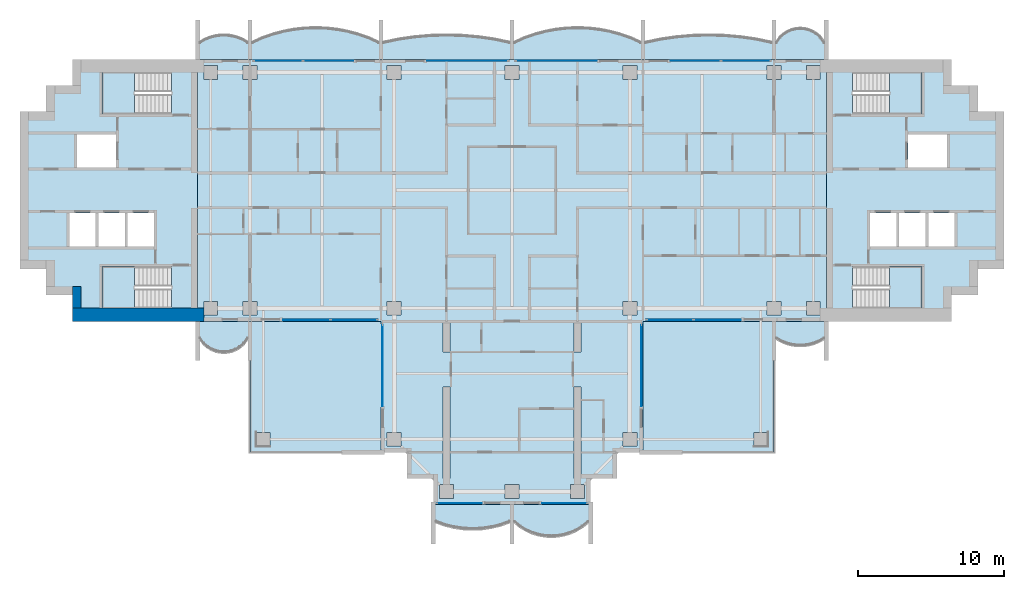
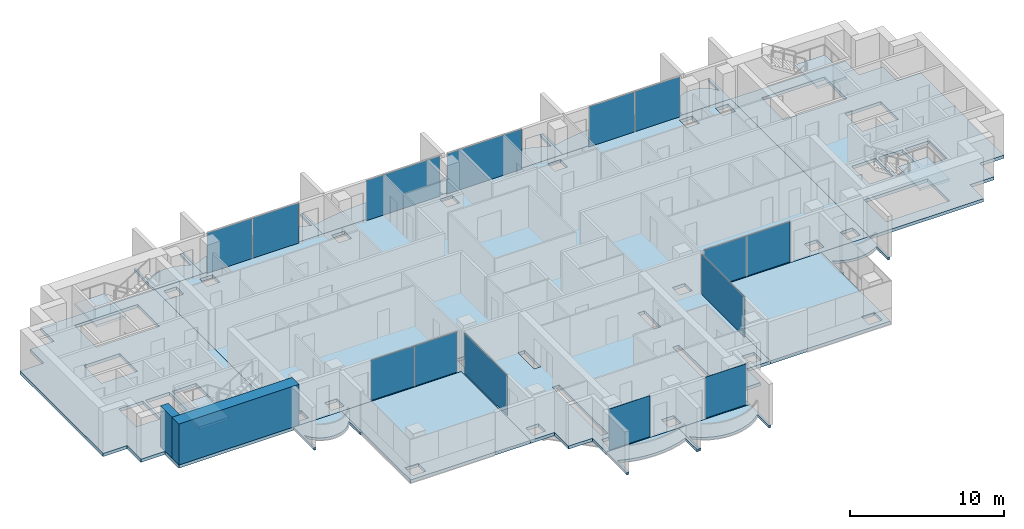
# One storey, part 7 of 17: 19 slabs, 14 plates, 2 walls, 14 elements without a shape of their own.
"""IFC4 building model written with IfcOpenShell, lengths in metres."""

from ifc_helpers import new_model, si_unit, direction, frame, frame_2d, origin, origin_2d, place, context, subcontext, project, spatial, polyline, rectangle, outline, extrude, material, layer, layer_set, type_object, element, aggregate, save


model = new_model("IFC4")

# Units and contexts
model_context = context("Model", 3, precision=1e-05, world=origin(), true_north=direction((0.0, 1.0)))
body_context = subcontext(model_context, "Body", "Model", "MODEL_VIEW")
ifc_project = project(units=[si_unit("LENGTHUNIT", "METRE"), si_unit("AREAUNIT", "SQUARE_METRE"), si_unit("VOLUMEUNIT", "CUBIC_METRE"), si_unit("PLANEANGLEUNIT", "RADIAN"), si_unit("MASSUNIT", "GRAM", prefix="KILO")], contexts=[model_context])

# Site, building, storey
site_placement = place(None, origin())
site = spatial("IfcSite", under=ifc_project, at=site_placement, CompositionType="ELEMENT")
building_placement = place(site_placement, origin())
building = spatial("IfcBuilding", under=site, at=building_placement, Name="Perihelion Cross Residences", CompositionType="ELEMENT")
storey_placement = place(building_placement, frame((0.0, 0.0, 184.10009765625)))
storey = spatial("IfcBuildingStorey", under=building, at=storey_placement, Name="L45", CompositionType="ELEMENT", Elevation=184.10009765625)

# Slabs
ifc_material_1 = material(Name="Concrete C40/50", Category="concrete")
ifc_layer_1 = layer(ifc_material_1, 0.199951171875)
ifc_layer_set_1 = layer_set([ifc_layer_1], Name="Balcony slab 200")
slab_type_1 = type_object("IfcSlabType", Name="Balcony slab 200", PredefinedType="FLOOR", material=ifc_layer_set_1)
slab_1_placement = place(storey_placement, frame((0.0, 0.0, -0.2001953125)))
element("IfcSlab", 1, at=slab_1_placement, inside=storey, type_object=slab_type_1, Name="Slab BK1 L45 east side north bay 1 balcony", PredefinedType="FLOOR", context=body_context, shape_type="SweptSolid", body=[
    extrude(outline(polyline([(21.60009765625, 9.0), (18.0, 9.0), (18.0, 11.699951171875), (18.14990234375, 11.699951171875), (18.14990234375, 10.199951171875), (18.425048828125, 10.568603515625), (18.699951171875, 10.806396484375), (18.97509765625, 10.96875), (19.25, 11.07568359375), (19.52490234375, 11.136962890625), (19.800048828125, 11.156982421875), (20.074951171875, 11.136962890625), (20.35009765625, 11.07568359375), (20.625, 10.96875), (20.89990234375, 10.806396484375), (21.175048828125, 10.568603515625), (21.449951171875, 10.199951171875), (21.449951171875, 11.699951171875), (21.60009765625, 11.699951171875), (21.60009765625, 9.0)])), origin(), (0.0, 0.0, 1.0), 0.2001953125),
])
slab_2_placement = place(storey_placement, frame((0.0, 0.0, -0.2001953125)))
element("IfcSlab", 2, at=slab_2_placement, inside=storey, type_object=slab_type_1, Name="Slab BK1 L45 east side north bay 2 balcony", PredefinedType="FLOOR", context=body_context, shape_type="SweptSolid", body=[
    extrude(outline(polyline([(18.0, 9.0), (9.0, 9.0), (9.0, 11.699951171875), (9.14990234375, 11.699951171875), (9.14990234375, 10.199951171875), (10.237548828125, 10.42041015625), (11.324951171875, 10.576171875), (12.41259765625, 10.669189453125), (13.5, 10.699951171875), (14.58740234375, 10.669189453125), (15.675048828125, 10.576171875), (16.762451171875, 10.42041015625), (17.85009765625, 10.199951171875), (17.85009765625, 11.699951171875), (18.0, 11.699951171875), (18.0, 9.0)])), origin(), (0.0, 0.0, 1.0), 0.2001953125),
])
slab_3_placement = place(storey_placement, frame((0.0, 0.0, -0.2001953125)))
element("IfcSlab", 3, at=slab_3_placement, inside=storey, type_object=slab_type_1, Name="Slab BK1 L45 north side east bay 1 balcony", PredefinedType="FLOOR", context=body_context, shape_type="SweptSolid", body=[
    extrude(outline(polyline([(9.0, 9.0), (0.0, 9.0), (0.0, 11.699951171875), (0.14990234375, 11.699951171875), (0.14990234375, 10.199951171875), (0.875, 10.51708984375), (1.60009765625, 10.7685546875), (2.324951171875, 10.959716796875), (3.050048828125, 11.093994140625), (3.77490234375, 11.173583984375), (4.5, 11.199951171875), (5.22509765625, 11.173583984375), (5.949951171875, 11.093994140625), (6.675048828125, 10.959716796875), (7.39990234375, 10.7685546875), (8.125, 10.51708984375), (8.85009765625, 10.199951171875), (8.85009765625, 11.699951171875), (9.0, 11.699951171875), (9.0, 9.0)])), origin(), (0.0, 0.0, 1.0), 0.2001953125),
])
slab_4_placement = place(storey_placement, frame((0.0, 0.0, -0.2001953125)))
element("IfcSlab", 4, at=slab_4_placement, inside=storey, type_object=slab_type_1, Name="Slab BK1 L45 north side east bay 2 balcony", PredefinedType="FLOOR", context=body_context, shape_type="SweptSolid", body=[
    extrude(outline(polyline([(0.0, 9.0), (-9.0, 9.0), (-9.0, 11.699951171875), (-8.85009765625, 11.699951171875), (-8.85009765625, 10.199951171875), (-7.762451171875, 10.42041015625), (-6.675048828125, 10.576171875), (-5.58740234375, 10.669189453125), (-4.5, 10.699951171875), (-3.41259765625, 10.669189453125), (-2.324951171875, 10.576171875), (-1.237548828125, 10.42041015625), (-0.14990234375, 10.199951171875), (-0.14990234375, 11.699951171875), (0.0, 11.699951171875), (0.0, 9.0)])), origin(), (0.0, 0.0, 1.0), 0.2001953125),
])
slab_5_placement = place(storey_placement, frame((0.0, 0.0, -0.2001953125)))
element("IfcSlab", 5, at=slab_5_placement, inside=storey, type_object=slab_type_1, Name="Slab BK1 L45 west side north bay 1 balcony", PredefinedType="FLOOR", context=body_context, shape_type="SweptSolid", body=[
    extrude(outline(polyline([(-9.0, 9.0), (-18.0, 9.0), (-18.0, 11.699951171875), (-17.85009765625, 11.699951171875), (-17.85009765625, 10.199951171875), (-17.125, 10.51708984375), (-16.39990234375, 10.7685546875), (-15.675048828125, 10.959716796875), (-14.949951171875, 11.093994140625), (-14.22509765625, 11.173583984375), (-13.5, 11.199951171875), (-12.77490234375, 11.173583984375), (-12.050048828125, 11.093994140625), (-11.324951171875, 10.959716796875), (-10.60009765625, 10.7685546875), (-9.875, 10.51708984375), (-9.14990234375, 10.199951171875), (-9.14990234375, 11.699951171875), (-9.0, 11.699951171875), (-9.0, 9.0)])), origin(), (0.0, 0.0, 1.0), 0.2001953125),
])
slab_6_placement = place(storey_placement, frame((0.0, 0.0, -0.2001953125)))
element("IfcSlab", 6, at=slab_6_placement, inside=storey, type_object=slab_type_1, Name="Slab BK1 L45 west side north bay 2 balcony", PredefinedType="FLOOR", context=body_context, shape_type="SweptSolid", body=[
    extrude(outline(polyline([(-18.0, 9.0), (-21.60009765625, 9.0), (-21.60009765625, 11.699951171875), (-21.449951171875, 11.699951171875), (-21.449951171875, 10.199951171875), (-21.083251953125, 10.40869140625), (-20.716552734375, 10.55517578125), (-20.35009765625, 10.648681640625), (-19.9833984375, 10.6943359375), (-19.61669921875, 10.6943359375), (-19.25, 10.648681640625), (-18.88330078125, 10.55517578125), (-18.5166015625, 10.40869140625), (-18.14990234375, 10.199951171875), (-18.14990234375, 11.699951171875), (-18.0, 11.699951171875), (-18.0, 9.0)])), origin(), (0.0, 0.0, 1.0), 0.2001953125),
])
slab_7_placement = place(storey_placement, frame((0.0, 0.0, -0.2001953125)))
element("IfcSlab", 7, at=slab_7_placement, inside=storey, type_object=slab_type_1, Name="Slab BK1 L45 west side south bay 1 balcony", PredefinedType="FLOOR", context=body_context, shape_type="SweptSolid", body=[
    extrude(outline(polyline([(-21.60009765625, -9.0), (-18.0, -9.0), (-18.0, -11.699951171875), (-18.14990234375, -11.699951171875), (-18.14990234375, -10.199951171875), (-18.425048828125, -10.568603515625), (-18.699951171875, -10.806396484375), (-18.97509765625, -10.96875), (-19.25, -11.07568359375), (-19.52490234375, -11.136962890625), (-19.800048828125, -11.156982421875), (-20.074951171875, -11.136962890625), (-20.35009765625, -11.07568359375), (-20.625, -10.96875), (-20.89990234375, -10.806396484375), (-21.175048828125, -10.568603515625), (-21.449951171875, -10.199951171875), (-21.449951171875, -11.699951171875), (-21.60009765625, -11.699951171875), (-21.60009765625, -9.0)])), origin(), (0.0, 0.0, 1.0), 0.2001953125),
])
slab_8_placement = place(storey_placement, frame((0.0, 0.0, -0.2001953125)))
element("IfcSlab", 8, at=slab_8_placement, inside=storey, type_object=slab_type_1, Name="Slab BK1 L45 south tip south bay 1 balcony", PredefinedType="FLOOR", context=body_context, shape_type="SweptSolid", body=[
    extrude(outline(polyline([(-5.39990234375, -21.60009765625), (0.0, -21.60009765625), (0.0, -24.300048828125), (-0.14990234375, -24.300048828125), (-0.14990234375, -22.800048828125), (-0.78759765625, -23.0234375), (-1.425048828125, -23.178466796875), (-2.0625, -23.269775390625), (-2.699951171875, -23.300048828125), (-3.33740234375, -23.269775390625), (-3.97509765625, -23.178466796875), (-4.612548828125, -23.0234375), (-5.25, -22.800048828125), (-5.25, -24.300048828125), (-5.39990234375, -24.300048828125), (-5.39990234375, -21.60009765625)])), origin(), (0.0, 0.0, 1.0), 0.2001953125),
])
slab_9_placement = place(storey_placement, frame((0.0, 0.0, -0.2001953125)))
element("IfcSlab", 9, at=slab_9_placement, inside=storey, type_object=slab_type_1, Name="Slab BK1 L45 south tip south bay 2 balcony", PredefinedType="FLOOR", context=body_context, shape_type="SweptSolid", body=[
    extrude(outline(polyline([(0.0, -21.60009765625), (5.39990234375, -21.60009765625), (5.39990234375, -24.300048828125), (5.25, -24.300048828125), (5.25, -22.800048828125), (4.824951171875, -23.14013671875), (4.39990234375, -23.392578125), (3.97509765625, -23.57666015625), (3.550048828125, -23.702392578125), (3.125, -23.77587890625), (2.699951171875, -23.800048828125), (2.27490234375, -23.77587890625), (1.85009765625, -23.702392578125), (1.425048828125, -23.57666015625), (1.0, -23.392578125), (0.574951171875, -23.14013671875), (0.14990234375, -22.800048828125), (0.14990234375, -24.300048828125), (0.0, -24.300048828125), (0.0, -21.60009765625)])), origin(), (0.0, 0.0, 1.0), 0.2001953125),
])
slab_10_placement = place(storey_placement, frame((0.0, 0.0, -0.2001953125)))
element("IfcSlab", 10, at=slab_10_placement, inside=storey, type_object=slab_type_1, Name="Slab BK1 L45 east side south bay 2 balcony", PredefinedType="FLOOR", context=body_context, shape_type="SweptSolid", body=[
    extrude(outline(polyline([(18.0, -9.0), (21.60009765625, -9.0), (21.60009765625, -11.699951171875), (21.449951171875, -11.699951171875), (21.449951171875, -10.199951171875), (21.083251953125, -10.40869140625), (20.716552734375, -10.55517578125), (20.35009765625, -10.648681640625), (19.9833984375, -10.6943359375), (19.61669921875, -10.6943359375), (19.25, -10.648681640625), (18.88330078125, -10.55517578125), (18.5166015625, -10.40869140625), (18.14990234375, -10.199951171875), (18.14990234375, -11.699951171875), (18.0, -11.699951171875), (18.0, -9.0)])), origin(), (0.0, 0.0, 1.0), 0.2001953125),
])

# Curtain wall, plates
ifc_material_2 = material(Name="Bronze anodised aluminium, tinted glazing", Category="aluminium")
curtain_wall_type = type_object("IfcCurtainWallType", Name="CW1", PredefinedType="NOTDEFINED", material=ifc_material_2)
curtain_wall_1_placement = place(storey_placement, origin())
curtain_wall_1 = element("IfcCurtainWall", 11, at=curtain_wall_1_placement, inside=storey, type_object=curtain_wall_type, Name="Curtain wall CW1 L45 east side north bay 2", PredefinedType="NOTDEFINED")
ifc_material_3 = material(Name="Tinted laminated glass", Category="glass")
ifc_layer_2 = layer(ifc_material_3, 0.028076171875)
ifc_layer_set_2 = layer_set([ifc_layer_2], Name="CW1 panel")
plate_type = type_object("IfcPlateType", Name="CW1 panel", PredefinedType="CURTAIN_PANEL", material=ifc_layer_set_2)
plate_1_placement = place(storey_placement, frame((16.06005859375, 8.89990234375, 0.0), z_axis=(0.0, 0.0, 1.0), x_axis=(-1.0, 0.0, 0.0)))
plate_1 = element("IfcPlate", 12, at=plate_1_placement, type_object=plate_type, Name="CW1 panel 1", PredefinedType="CURTAIN_PANEL", context=body_context, shape_type="SweptSolid", body=[
    extrude(rectangle(XDim=3.360107421875, YDim=0.028076171875, at=origin_2d()), origin(), (0.0, 0.0, 1.0), 3.18994140625),
])
plate_2_placement = place(storey_placement, frame((12.610107421875, 8.89990234375, 0.0), z_axis=(0.0, 0.0, 1.0), x_axis=(-1.0, 0.0, 0.0)))
plate_2 = element("IfcPlate", 13, at=plate_2_placement, type_object=plate_type, Name="CW1 panel 2", PredefinedType="CURTAIN_PANEL", context=body_context, shape_type="SweptSolid", body=[
    extrude(rectangle(XDim=3.419921875, YDim=0.028076171875, at=origin_2d()), origin(), (0.0, 0.0, 1.0), 3.18994140625),
])
aggregate(curtain_wall_1, [plate_1, plate_2])

# Curtain wall, plate
curtain_wall_2_placement = place(storey_placement, origin())
curtain_wall_2 = element("IfcCurtainWall", 14, at=curtain_wall_2_placement, inside=storey, type_object=curtain_wall_type, Name="Curtain wall CW1 L45 north side east bay 1", PredefinedType="NOTDEFINED")
plate_3_placement = place(storey_placement, frame((3.04248046875, 8.89990234375, 0.0), z_axis=(0.0, 0.0, 1.0), x_axis=(-1.0, 0.0, 0.0)))
plate_3 = element("IfcPlate", 15, at=plate_3_placement, type_object=plate_type, Name="CW1 panel 1", PredefinedType="CURTAIN_PANEL", context=body_context, shape_type="SweptSolid", body=[
    extrude(rectangle(XDim=5.56494140625, YDim=0.028076171875, at=origin_2d()), origin(), (0.0, 0.0, 1.0), 3.18994140625),
])
aggregate(curtain_wall_2, [plate_3])

curtain_wall_3_placement = place(storey_placement, origin())
curtain_wall_3 = element("IfcCurtainWall", 16, at=curtain_wall_3_placement, inside=storey, type_object=curtain_wall_type, Name="Curtain wall CW1 L45 north side east bay 2", PredefinedType="NOTDEFINED")
plate_4_placement = place(storey_placement, frame((-3.04248046875, 8.89990234375, 0.0), z_axis=(0.0, 0.0, 1.0), x_axis=(-1.0, 0.0, 0.0)))
plate_4 = element("IfcPlate", 17, at=plate_4_placement, type_object=plate_type, Name="CW1 panel 1", PredefinedType="CURTAIN_PANEL", context=body_context, shape_type="SweptSolid", body=[
    extrude(rectangle(XDim=5.56494140625, YDim=0.028076171875, at=origin_2d()), origin(), (0.0, 0.0, 1.0), 3.18994140625),
])
aggregate(curtain_wall_3, [plate_4])

# Curtain wall, plates
curtain_wall_4_placement = place(storey_placement, origin())
curtain_wall_4 = element("IfcCurtainWall", 18, at=curtain_wall_4_placement, inside=storey, type_object=curtain_wall_type, Name="Curtain wall CW1 L45 west side north bay 1", PredefinedType="NOTDEFINED")
plate_5_placement = place(storey_placement, frame((-12.610107421875, 8.89990234375, 0.0), z_axis=(0.0, 0.0, 1.0), x_axis=(-1.0, 0.0, 0.0)))
plate_5 = element("IfcPlate", 19, at=plate_5_placement, type_object=plate_type, Name="CW1 panel 1", PredefinedType="CURTAIN_PANEL", context=body_context, shape_type="SweptSolid", body=[
    extrude(rectangle(XDim=3.419921875, YDim=0.028076171875, at=origin_2d()), origin(), (0.0, 0.0, 1.0), 3.18994140625),
])
plate_6_placement = place(storey_placement, frame((-16.06005859375, 8.89990234375, 0.0), z_axis=(0.0, 0.0, 1.0), x_axis=(-1.0, 0.0, 0.0)))
plate_6 = element("IfcPlate", 20, at=plate_6_placement, type_object=plate_type, Name="CW1 panel 2", PredefinedType="CURTAIN_PANEL", context=body_context, shape_type="SweptSolid", body=[
    extrude(rectangle(XDim=3.360107421875, YDim=0.028076171875, at=origin_2d()), origin(), (0.0, 0.0, 1.0), 3.18994140625),
])
aggregate(curtain_wall_4, [plate_5, plate_6])

curtain_wall_5_placement = place(storey_placement, origin())
curtain_wall_5 = element("IfcCurtainWall", 21, at=curtain_wall_5_placement, inside=storey, type_object=curtain_wall_type, Name="Curtain wall CW1 L45 west side south bay 2", PredefinedType="NOTDEFINED")
plate_7_placement = place(storey_placement, frame((-14.108642578125, -8.89990234375, 0.0), z_axis=(0.0, 0.0, 1.0), x_axis=(1.0, 0.0, 0.0)))
plate_7 = element("IfcPlate", 22, at=plate_7_placement, type_object=plate_type, Name="CW1 panel 1", PredefinedType="CURTAIN_PANEL", context=body_context, shape_type="SweptSolid", body=[
    extrude(rectangle(XDim=3.232421875, YDim=0.028076171875, at=origin_2d()), origin(), (0.0, 0.0, 1.0), 3.18994140625),
])
plate_8_placement = place(storey_placement, frame((-10.84619140625, -8.89990234375, 0.0), z_axis=(0.0, 0.0, 1.0), x_axis=(1.0, 0.0, 0.0)))
plate_8 = element("IfcPlate", 23, at=plate_8_placement, type_object=plate_type, Name="CW1 panel 2", PredefinedType="CURTAIN_PANEL", context=body_context, shape_type="SweptSolid", body=[
    extrude(rectangle(XDim=3.172607421875, YDim=0.028076171875, at=origin_2d()), origin(), (0.0, 0.0, 1.0), 3.18994140625),
])
aggregate(curtain_wall_5, [plate_7, plate_8])

# Curtain wall, plate
curtain_wall_6_placement = place(storey_placement, origin())
curtain_wall_6 = element("IfcCurtainWall", 24, at=curtain_wall_6_placement, inside=storey, type_object=curtain_wall_type, Name="Curtain wall CW1 L45 south side west bay 1", PredefinedType="NOTDEFINED")
plate_9_placement = place(storey_placement, frame((-8.89990234375, -12.04248046875, 0.0), z_axis=(0.0, 0.0, 1.0), x_axis=(0.0, -1.0, 0.0)))
plate_9 = element("IfcPlate", 25, at=plate_9_placement, type_object=plate_type, Name="CW1 panel 1", PredefinedType="CURTAIN_PANEL", context=body_context, shape_type="SweptSolid", body=[
    extrude(rectangle(XDim=5.56494140625, YDim=0.028076171875, at=origin_2d()), origin(), (0.0, 0.0, 1.0), 3.18994140625),
])
aggregate(curtain_wall_6, [plate_9])

curtain_wall_7_placement = place(storey_placement, origin())
curtain_wall_7 = element("IfcCurtainWall", 26, at=curtain_wall_7_placement, inside=storey, type_object=curtain_wall_type, Name="Curtain wall CW1 L45 south tip south bay 1", PredefinedType="NOTDEFINED")
plate_10_placement = place(storey_placement, frame((-3.607421875, -21.5, 0.0), z_axis=(0.0, 0.0, 1.0), x_axis=(1.0, 0.0, 0.0)))
plate_10 = element("IfcPlate", 27, at=plate_10_placement, type_object=plate_type, Name="CW1 panel 1", PredefinedType="CURTAIN_PANEL", context=body_context, shape_type="SweptSolid", body=[
    extrude(rectangle(XDim=3.06494140625, YDim=0.028076171875, at=origin_2d()), origin(), (0.0, 0.0, 1.0), 3.25),
])
aggregate(curtain_wall_7, [plate_10])

curtain_wall_8_placement = place(storey_placement, origin())
curtain_wall_8 = element("IfcCurtainWall", 28, at=curtain_wall_8_placement, inside=storey, type_object=curtain_wall_type, Name="Curtain wall CW1 L45 south tip south bay 2", PredefinedType="NOTDEFINED")
plate_11_placement = place(storey_placement, frame((3.607421875, -21.5, 0.0), z_axis=(0.0, 0.0, 1.0), x_axis=(1.0, 0.0, 0.0)))
plate_11 = element("IfcPlate", 29, at=plate_11_placement, type_object=plate_type, Name="CW1 panel 1", PredefinedType="CURTAIN_PANEL", context=body_context, shape_type="SweptSolid", body=[
    extrude(rectangle(XDim=3.06494140625, YDim=0.028076171875, at=origin_2d()), origin(), (0.0, 0.0, 1.0), 3.25),
])
aggregate(curtain_wall_8, [plate_11])

curtain_wall_9_placement = place(storey_placement, origin())
curtain_wall_9 = element("IfcCurtainWall", 30, at=curtain_wall_9_placement, inside=storey, type_object=curtain_wall_type, Name="Curtain wall CW1 L45 south side east bay 1", PredefinedType="NOTDEFINED")
plate_12_placement = place(storey_placement, frame((8.89990234375, -12.04248046875, 0.0), z_axis=(0.0, 0.0, 1.0), x_axis=(0.0, 1.0, 0.0)))
plate_12 = element("IfcPlate", 31, at=plate_12_placement, type_object=plate_type, Name="CW1 panel 1", PredefinedType="CURTAIN_PANEL", context=body_context, shape_type="SweptSolid", body=[
    extrude(rectangle(XDim=5.56494140625, YDim=0.028076171875, at=origin_2d()), origin(), (0.0, 0.0, 1.0), 3.18994140625),
])
aggregate(curtain_wall_9, [plate_12])

# Curtain wall, plates
curtain_wall_10_placement = place(storey_placement, origin())
curtain_wall_10 = element("IfcCurtainWall", 32, at=curtain_wall_10_placement, inside=storey, type_object=curtain_wall_type, Name="Curtain wall CW1 L45 east side south bay 1", PredefinedType="NOTDEFINED")
plate_13_placement = place(storey_placement, frame((10.84619140625, -8.89990234375, 0.0), z_axis=(0.0, 0.0, 1.0), x_axis=(1.0, 0.0, 0.0)))
plate_13 = element("IfcPlate", 33, at=plate_13_placement, type_object=plate_type, Name="CW1 panel 1", PredefinedType="CURTAIN_PANEL", context=body_context, shape_type="SweptSolid", body=[
    extrude(rectangle(XDim=3.172607421875, YDim=0.028076171875, at=origin_2d()), origin(), (0.0, 0.0, 1.0), 3.18994140625),
])
plate_14_placement = place(storey_placement, frame((14.108642578125, -8.89990234375, 0.0), z_axis=(0.0, 0.0, 1.0), x_axis=(1.0, 0.0, 0.0)))
plate_14 = element("IfcPlate", 34, at=plate_14_placement, type_object=plate_type, Name="CW1 panel 2", PredefinedType="CURTAIN_PANEL", context=body_context, shape_type="SweptSolid", body=[
    extrude(rectangle(XDim=3.232421875, YDim=0.028076171875, at=origin_2d()), origin(), (0.0, 0.0, 1.0), 3.18994140625),
])
aggregate(curtain_wall_10, [plate_13, plate_14])

# Slabs
ifc_material_4 = material(Name="Concrete C40/50", Category="concrete")
ifc_layer_3 = layer(ifc_material_4, 0.25)
ifc_layer_set_3 = layer_set([ifc_layer_3], Name="Core floor slab 250")
slab_type_2 = type_object("IfcSlabType", Name="Core floor slab 250", PredefinedType="FLOOR", material=ifc_layer_set_3)
slab_11_placement = place(storey_placement, frame((0.0, 0.0, -0.25)))
element("IfcSlab", 35, at=slab_11_placement, inside=storey, type_object=slab_type_2, Name="East core floor slab", PredefinedType="FLOOR", context=body_context, shape_type="SweptSolid", body=[
    extrude(outline(polyline([(30.199951171875, 7.199951171875), (32.0, 7.199951171875), (32.0, 5.39990234375), (33.800048828125, 5.39990234375), (33.800048828125, -5.39990234375), (32.0, -5.39990234375), (32.0, -7.199951171875), (30.199951171875, -7.199951171875), (30.199951171875, -9.0), (21.60009765625, -9.0), (21.60009765625, 9.0), (30.199951171875, 9.0), (30.199951171875, 7.199951171875)]), holes=[polyline([(28.14990234375, -8.10009765625), (28.14990234375, -5.25), (23.405029296875, -5.25), (23.405029296875, -8.10009765625), (28.14990234375, -8.10009765625)]), polyline([(24.60009765625, -1.550048828125), (24.60009765625, -3.85009765625), (26.39990234375, -3.85009765625), (26.39990234375, -1.550048828125), (24.60009765625, -1.550048828125)]), polyline([(26.60009765625, -1.550048828125), (26.60009765625, -3.85009765625), (28.39990234375, -3.85009765625), (28.39990234375, -1.550048828125), (26.60009765625, -1.550048828125)]), polyline([(28.60009765625, -3.85009765625), (30.39990234375, -3.85009765625), (30.39990234375, -1.550048828125), (28.60009765625, -1.550048828125), (28.60009765625, -3.85009765625)]), polyline([(27.199951171875, 3.85009765625), (27.199951171875, 1.550048828125), (29.89990234375, 1.550048828125), (29.89990234375, 3.85009765625), (27.199951171875, 3.85009765625)]), polyline([(23.405029296875, 5.25), (28.14990234375, 5.25), (28.14990234375, 8.10009765625), (23.405029296875, 8.10009765625), (23.405029296875, 5.25)])]), origin(), (0.0, 0.0, 1.0), 0.25),
])
slab_12_placement = place(storey_placement, frame((0.0, 0.0, -0.25)))
element("IfcSlab", 36, at=slab_12_placement, inside=storey, type_object=slab_type_2, Name="West core floor slab", PredefinedType="FLOOR", context=body_context, shape_type="SweptSolid", body=[
    extrude(outline(polyline([(-30.199951171875, 7.199951171875), (-32.0, 7.199951171875), (-32.0, 5.39990234375), (-33.800048828125, 5.39990234375), (-33.800048828125, -5.39990234375), (-32.0, -5.39990234375), (-32.0, -7.199951171875), (-30.199951171875, -7.199951171875), (-30.199951171875, -9.0), (-21.60009765625, -9.0), (-21.60009765625, 9.0), (-30.199951171875, 9.0), (-30.199951171875, 7.199951171875)]), holes=[polyline([(-28.14990234375, -8.10009765625), (-28.14990234375, -5.25), (-23.405029296875, -5.25), (-23.405029296875, -8.10009765625), (-28.14990234375, -8.10009765625)]), polyline([(-24.60009765625, -1.550048828125), (-24.60009765625, -3.85009765625), (-26.39990234375, -3.85009765625), (-26.39990234375, -1.550048828125), (-24.60009765625, -1.550048828125)]), polyline([(-26.60009765625, -1.550048828125), (-26.60009765625, -3.85009765625), (-28.39990234375, -3.85009765625), (-28.39990234375, -1.550048828125), (-26.60009765625, -1.550048828125)]), polyline([(-28.60009765625, -3.85009765625), (-30.39990234375, -3.85009765625), (-30.39990234375, -1.550048828125), (-28.60009765625, -1.550048828125), (-28.60009765625, -3.85009765625)]), polyline([(-27.199951171875, 3.85009765625), (-27.199951171875, 1.550048828125), (-29.89990234375, 1.550048828125), (-29.89990234375, 3.85009765625), (-27.199951171875, 3.85009765625)]), polyline([(-23.405029296875, 5.25), (-28.14990234375, 5.25), (-28.14990234375, 8.10009765625), (-23.405029296875, 8.10009765625), (-23.405029296875, 5.25)])]), origin(), (0.0, 0.0, 1.0), 0.25),
])
ifc_material_5 = material(Name="Concrete C40/50", Category="concrete")
ifc_layer_4 = layer(ifc_material_5, 0.25)
ifc_layer_set_4 = layer_set([ifc_layer_4], Name="Corner terrace slab")
slab_type_3 = type_object("IfcSlabType", Name="Corner terrace slab", PredefinedType="FLOOR", material=ifc_layer_set_4)
slab_13_placement = place(storey_placement, frame((0.0, 0.0, -0.25)))
element("IfcSlab", 37, at=slab_13_placement, inside=storey, type_object=slab_type_3, Name="Slab BK2 L45 pocket south-west", PredefinedType="FLOOR", context=body_context, shape_type="SweptSolid", body=[
    extrude(outline(polyline([(-9.0, -18.0), (-9.0, -9.0), (-18.0, -9.0), (-18.0, -18.0), (-9.0, -18.0)]), holes=[polyline([(-16.625, -17.614990234375), (-17.614990234375, -17.614990234375), (-17.614990234375, -16.5849609375), (-17.574951171875, -16.5849609375), (-17.574951171875, -16.625), (-16.625, -16.625), (-16.625, -17.614990234375)])]), origin(), (0.0, 0.0, 1.0), 0.25),
])
slab_14_placement = place(storey_placement, frame((0.0, 0.0, -0.25)))
element("IfcSlab", 38, at=slab_14_placement, inside=storey, type_object=slab_type_3, Name="Slab BK2 L45 pocket south-east", PredefinedType="FLOOR", context=body_context, shape_type="SweptSolid", body=[
    extrude(outline(polyline([(18.0, -18.0), (18.0, -9.0), (9.0, -9.0), (9.0, -18.0), (18.0, -18.0)]), holes=[polyline([(16.625, -17.614990234375), (16.625, -16.625), (17.574951171875, -16.625), (17.574951171875, -16.5849609375), (17.614990234375, -16.5849609375), (17.614990234375, -17.614990234375), (16.625, -17.614990234375)])]), origin(), (0.0, 0.0, 1.0), 0.25),
])

# Stair, slab
ifc_material_6 = material(Name="Concrete C40/50", Category="concrete")
stair_type = type_object("IfcStairType", Name="Exit stair, half-turn", PredefinedType="HALF_TURN_STAIR", material=ifc_material_6)
stair_1_placement = place(storey_placement, origin())
stair_1 = element("IfcStair", 39, at=stair_1_placement, inside=storey, type_object=stair_type, Name="L45 East core exit stair 1", PredefinedType="HALF_TURN_STAIR")
ifc_material_7 = material(Name="Concrete C40/50", Category="concrete")
ifc_layer_5 = layer(ifc_material_7, 0.199951171875)
ifc_layer_set_5 = layer_set([ifc_layer_5], Name="Exit stair landing 200")
slab_type_4 = type_object("IfcSlabType", Name="Exit stair landing 200", PredefinedType="LANDING", material=ifc_layer_set_5)
slab_15_placement = place(storey_placement, frame((0.0, 0.0, 1.5498046875)))
slab_15 = element("IfcSlab", 40, at=slab_15_placement, type_object=slab_type_4, Name="ST-E1 landing 1", PredefinedType="LANDING", context=body_context, shape_type="SweptSolid", body=[
    extrude(outline(polyline([(25.919921875, 5.25), (28.14990234375, 5.25), (28.14990234375, 8.10009765625), (25.919921875, 8.10009765625), (25.919921875, 5.25)])), origin(), (0.0, 0.0, 1.0), 0.2001953125),
])
aggregate(stair_1, [slab_15])

stair_2_placement = place(storey_placement, origin())
stair_2 = element("IfcStair", 41, at=stair_2_placement, inside=storey, type_object=stair_type, Name="L45 East core exit stair 2", PredefinedType="HALF_TURN_STAIR")
slab_16_placement = place(storey_placement, frame((0.0, 0.0, 1.5498046875)))
slab_16 = element("IfcSlab", 42, at=slab_16_placement, type_object=slab_type_4, Name="ST-E2 landing 1", PredefinedType="LANDING", context=body_context, shape_type="SweptSolid", body=[
    extrude(outline(polyline([(25.919921875, -8.10009765625), (28.14990234375, -8.10009765625), (28.14990234375, -5.25), (25.919921875, -5.25), (25.919921875, -8.10009765625)])), origin(), (0.0, 0.0, 1.0), 0.2001953125),
])
aggregate(stair_2, [slab_16])

stair_3_placement = place(storey_placement, origin())
stair_3 = element("IfcStair", 43, at=stair_3_placement, inside=storey, type_object=stair_type, Name="L45 West core exit stair 1", PredefinedType="HALF_TURN_STAIR")
slab_17_placement = place(storey_placement, frame((0.0, 0.0, 1.5498046875)))
slab_17 = element("IfcSlab", 44, at=slab_17_placement, type_object=slab_type_4, Name="ST-W1 landing 1", PredefinedType="LANDING", context=body_context, shape_type="SweptSolid", body=[
    extrude(outline(polyline([(-25.919921875, 8.10009765625), (-28.14990234375, 8.10009765625), (-28.14990234375, 5.25), (-25.919921875, 5.25), (-25.919921875, 8.10009765625)])), origin(), (0.0, 0.0, 1.0), 0.2001953125),
])
aggregate(stair_3, [slab_17])

stair_4_placement = place(storey_placement, origin())
stair_4 = element("IfcStair", 45, at=stair_4_placement, inside=storey, type_object=stair_type, Name="L45 West core exit stair 2", PredefinedType="HALF_TURN_STAIR")
slab_18_placement = place(storey_placement, frame((0.0, 0.0, 1.5498046875)))
slab_18 = element("IfcSlab", 46, at=slab_18_placement, type_object=slab_type_4, Name="ST-W2 landing 1", PredefinedType="LANDING", context=body_context, shape_type="SweptSolid", body=[
    extrude(outline(polyline([(-25.919921875, -5.25), (-28.14990234375, -5.25), (-28.14990234375, -8.10009765625), (-25.919921875, -8.10009765625), (-25.919921875, -5.25)])), origin(), (0.0, 0.0, 1.0), 0.2001953125),
])
aggregate(stair_4, [slab_18])

# Slab
ifc_material_8 = material(Name="Concrete C50/60", Category="concrete")
ifc_layer_6 = layer(ifc_material_8, 0.25)
ifc_layer_set_6 = layer_set([ifc_layer_6], Name="Residential floor post-tensioned slab concrete C50/60")
slab_type_5 = type_object("IfcSlabType", Name="Residential floor post-tensioned slab concrete C50/60", PredefinedType="FLOOR", material=ifc_layer_set_6)
slab_19_placement = place(storey_placement, frame((0.0, 0.0, -0.25)))
element("IfcSlab", 47, at=slab_19_placement, inside=storey, type_object=slab_type_5, Name="Slab SL8 L45 1 no. 1", PredefinedType="FLOOR", context=body_context, shape_type="SweptSolid", body=[
    extrude(outline(polyline([(-9.0, 9.0), (9.0, 9.0), (21.60009765625, 9.0), (21.60009765625, -9.0), (9.0, -9.0), (9.0, -18.0), (7.199951171875, -18.0), (7.199951171875, -19.800048828125), (5.39990234375, -19.800048828125), (5.39990234375, -21.60009765625), (-5.39990234375, -21.60009765625), (-5.39990234375, -19.800048828125), (-7.199951171875, -19.800048828125), (-7.199951171875, -18.0), (-9.0, -18.0), (-9.0, -9.0), (-21.60009765625, -9.0), (-21.60009765625, 9.0), (-9.0, 9.0)]), holes=[polyline([(-4.02490234375, -20.22509765625), (-4.97509765625, -20.22509765625), (-4.97509765625, -21.175048828125), (-4.02490234375, -21.175048828125), (-4.02490234375, -20.22509765625)]), polyline([(0.47509765625, -21.175048828125), (0.47509765625, -20.22509765625), (-0.47509765625, -20.22509765625), (-0.47509765625, -21.175048828125), (0.47509765625, -21.175048828125)]), polyline([(-7.625, -17.574951171875), (-7.625, -16.625), (-8.574951171875, -16.625), (-8.574951171875, -17.574951171875), (-7.625, -17.574951171875)]), polyline([(-4.25, -13.5), (-4.75, -13.5), (-4.75, -19.800048828125), (-4.25, -19.800048828125), (-4.25, -13.5)]), polyline([(-4.25, -11.10009765625), (-4.25, -9.0), (-4.75, -9.0), (-4.75, -11.10009765625), (-4.25, -11.10009765625)]), polyline([(-20.22509765625, -8.574951171875), (-20.22509765625, -7.625), (-21.175048828125, -7.625), (-21.175048828125, -8.574951171875), (-20.22509765625, -8.574951171875)]), polyline([(-17.52490234375, -7.625), (-18.47509765625, -7.625), (-18.47509765625, -8.574951171875), (-17.52490234375, -8.574951171875), (-17.52490234375, -7.625)]), polyline([(-7.625, -8.574951171875), (-7.625, -7.625), (-8.574951171875, -7.625), (-8.574951171875, -8.574951171875), (-7.625, -8.574951171875)]), polyline([(-20.22509765625, 8.574951171875), (-21.175048828125, 8.574951171875), (-21.175048828125, 7.625), (-20.22509765625, 7.625), (-20.22509765625, 8.574951171875)]), polyline([(-17.52490234375, 7.625), (-17.52490234375, 8.574951171875), (-18.47509765625, 8.574951171875), (-18.47509765625, 7.625), (-17.52490234375, 7.625)]), polyline([(-7.625, 7.625), (-7.625, 8.574951171875), (-8.574951171875, 8.574951171875), (-8.574951171875, 7.625), (-7.625, 7.625)]), polyline([(4.97509765625, -20.22509765625), (4.02490234375, -20.22509765625), (4.02490234375, -21.175048828125), (4.97509765625, -21.175048828125), (4.97509765625, -20.22509765625)]), polyline([(8.574951171875, -17.574951171875), (8.574951171875, -16.625), (7.625, -16.625), (7.625, -17.574951171875), (8.574951171875, -17.574951171875)]), polyline([(4.75, -19.800048828125), (4.75, -13.5), (4.25, -13.5), (4.25, -19.800048828125), (4.75, -19.800048828125)]), polyline([(4.75, -9.0), (4.25, -9.0), (4.25, -11.10009765625), (4.75, -11.10009765625), (4.75, -9.0)]), polyline([(8.574951171875, -8.574951171875), (8.574951171875, -7.625), (7.625, -7.625), (7.625, -8.574951171875), (8.574951171875, -8.574951171875)]), polyline([(18.47509765625, -8.574951171875), (18.47509765625, -7.625), (17.52490234375, -7.625), (17.52490234375, -8.574951171875), (18.47509765625, -8.574951171875)]), polyline([(21.175048828125, -7.625), (20.22509765625, -7.625), (20.22509765625, -8.574951171875), (21.175048828125, -8.574951171875), (21.175048828125, -7.625)]), polyline([(0.47509765625, 7.625), (0.47509765625, 8.574951171875), (-0.47509765625, 8.574951171875), (-0.47509765625, 7.625), (0.47509765625, 7.625)]), polyline([(8.574951171875, 8.574951171875), (7.625, 8.574951171875), (7.625, 7.625), (8.574951171875, 7.625), (8.574951171875, 8.574951171875)]), polyline([(18.47509765625, 7.625), (18.47509765625, 8.574951171875), (17.52490234375, 8.574951171875), (17.52490234375, 7.625), (18.47509765625, 7.625)]), polyline([(21.175048828125, 7.625), (21.175048828125, 8.574951171875), (20.22509765625, 8.574951171875), (20.22509765625, 7.625), (21.175048828125, 7.625)])]), origin(), (0.0, 0.0, 1.0), 0.25),
])

# Walls
ifc_material_9 = material(Name="Concrete C60/75", Category="concrete")
ifc_layer_7 = layer(ifc_material_9, 0.60009765625)
ifc_layer_set_7 = layer_set([ifc_layer_7], Name="Core wall, outer 600")
wall_type_1 = type_object("IfcWallType", Name="Core wall, outer 600", PredefinedType="SHEAR", material=ifc_layer_set_7)
wall_1_placement = place(storey_placement, frame((-29.89990234375, -8.10009765625, 0.0), z_axis=(0.0, 0.0, 1.0), x_axis=(0.0, 1.0, 0.0)))
element("IfcWall", 48, at=wall_1_placement, inside=storey, type_object=wall_type_1, Name="West core core wall, outer", PredefinedType="SHEAR", context=body_context, shape_type="SweptSolid", body=[
    extrude(rectangle(XDim=1.5, YDim=0.60009765625, at=frame_2d((0.75, 0.0))), origin(), (0.0, 0.0, 1.0), 3.25),
])
ifc_material_10 = material(Name="Concrete C60/75", Category="concrete")
ifc_layer_8 = layer(ifc_material_10, 0.89990234375)
ifc_layer_set_8 = layer_set([ifc_layer_8], Name="Core wall, outer 900")
wall_type_2 = type_object("IfcWallType", Name="Core wall, outer 900", PredefinedType="SHEAR", material=ifc_layer_set_8)
wall_2_placement = place(storey_placement, frame((-30.199951171875, -8.550048828125, 0.0), z_axis=(0.0, 0.0, 1.0), x_axis=(1.0, 0.0, 0.0)))
element("IfcWall", 49, at=wall_2_placement, inside=storey, type_object=wall_type_2, Name="West core core wall, outer", PredefinedType="SHEAR", context=body_context, shape_type="SweptSolid", body=[
    extrude(rectangle(XDim=9.02490234375, YDim=0.89990234375, at=frame_2d((4.512451171875, 0.0))), origin(), (0.0, 0.0, 1.0), 3.25),
])

save(model, "model.ifc")
